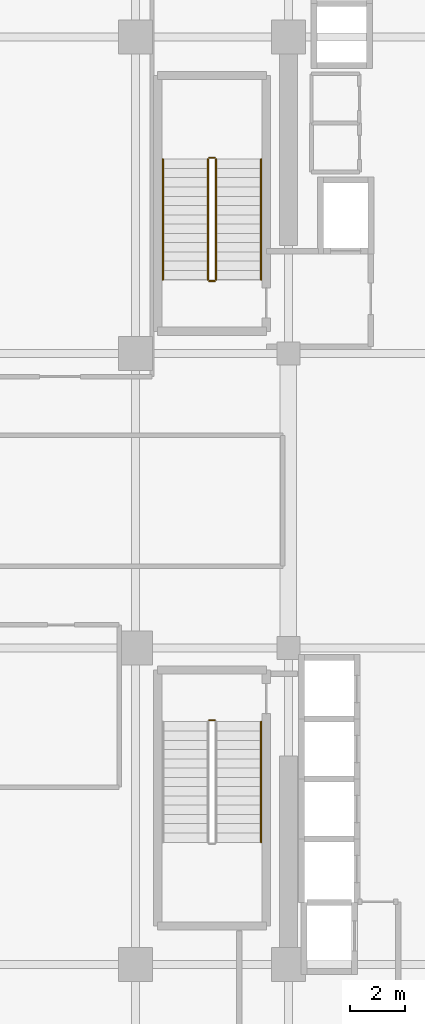
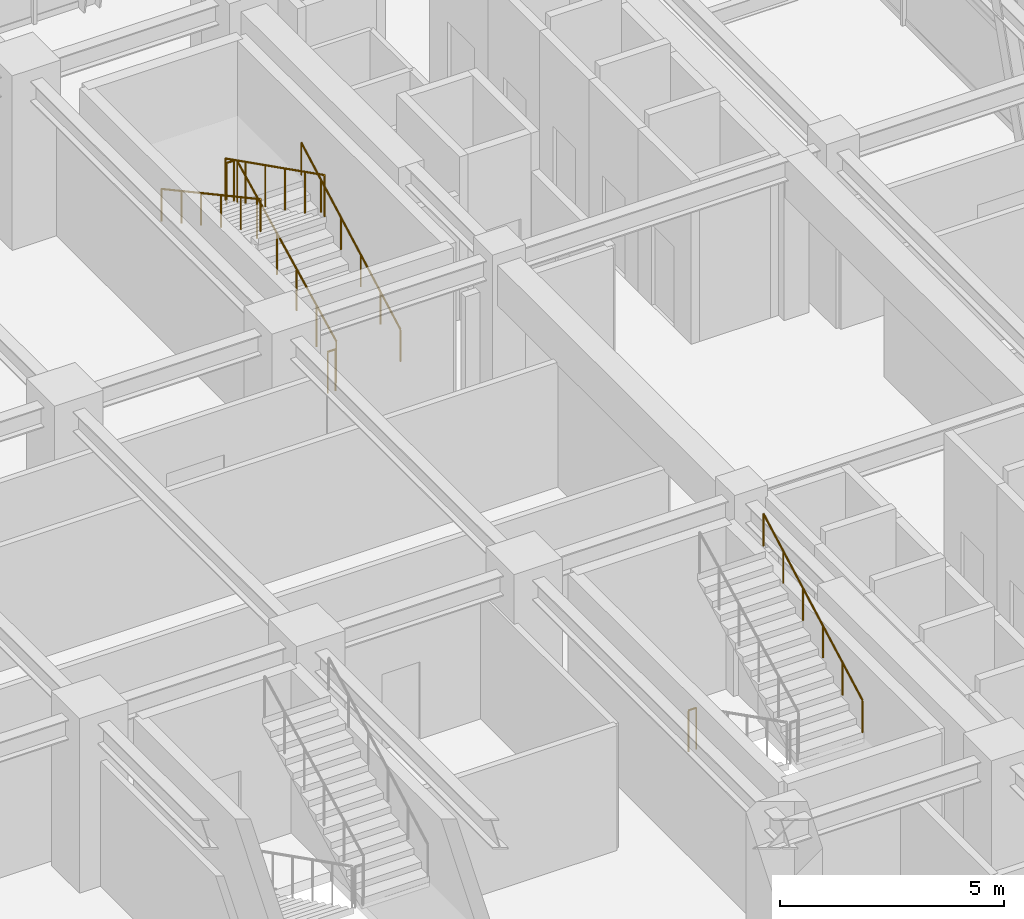
# One storey, part 25 of 26: 8 railings.
"""IFC4 building model written with IfcOpenShell, lengths in metres."""

from ifc_helpers import new_model, si_unit, direction, frame, origin, origin_2d, place, context, subcontext, project, spatial, circle, extrude, material, type_object, element, save


model = new_model("IFC4")

# Units and contexts
model_context = context("Model", 3, precision=1e-05, world=origin(), true_north=direction((0.0, 1.0)))
body_context = subcontext(model_context, "Body", "Model", "MODEL_VIEW")
ifc_project = project(units=[si_unit("LENGTHUNIT", "METRE"), si_unit("AREAUNIT", "SQUARE_METRE"), si_unit("VOLUMEUNIT", "CUBIC_METRE"), si_unit("PLANEANGLEUNIT", "RADIAN"), si_unit("MASSUNIT", "GRAM", prefix="KILO")], contexts=[model_context])

# Site, building, storey
site_placement = place(None, origin())
site = spatial("IfcSite", under=ifc_project, at=site_placement, CompositionType="ELEMENT")
building_placement = place(site_placement, origin())
building = spatial("IfcBuilding", under=site, at=building_placement, Name="Nahalor Promenade Grand Hotel", CompositionType="ELEMENT")
storey_placement = place(building_placement, frame((0.0, 0.0, 139.39990234375)))
storey = spatial("IfcBuildingStorey", under=building, at=storey_placement, Name="L35", CompositionType="ELEMENT", Elevation=139.39990234375)

# Railings
ifc_material = material(Name="Steel S355JR", Category="steel")
railing_type_1 = type_object("IfcRailingType", Name="Steel Stair Guardrail 1150 mm", PredefinedType="GUARDRAIL", material=ifc_material)
railing_1_placement = place(storey_placement, frame((5.75, 8.10009765625, 0.171630859375)))
element("IfcRailing", 1, at=railing_1_placement, inside=storey, type_object=railing_type_1, Name="L35 ST1 stair guard 1", PredefinedType="GUARDRAIL", context=body_context, shape_type="SweptSolid", body=[
    extrude(circle(Radius=0.024048, at=origin_2d()), frame((0.0, 0.0, 1.1259765625), z_axis=(0.0, 0.89292277971, 0.450209850486), x_axis=(-1.0, 0.0, 0.0)), (0.0, 0.0, 1.0), 4.949951171875),
    extrude(circle(Radius=0.020996, at=origin_2d()), origin(), (0.0, 0.0, 1.0), 1.099853515625),
    extrude(circle(Radius=0.020996, at=origin_2d()), frame((0.0, 0.884033203125, 0.44580078125)), (0.0, 0.0, 1.0), 1.099853515625),
    extrude(circle(Radius=0.020996, at=origin_2d()), frame((0.0, 1.76806640625, 0.891357421875)), (0.0, 0.0, 1.0), 1.099853515625),
    extrude(circle(Radius=0.020996, at=origin_2d()), frame((0.0, 2.65185546875, 1.337158203125)), (0.0, 0.0, 1.0), 1.099853515625),
    extrude(circle(Radius=0.020996, at=origin_2d()), frame((0.0, 3.535888671875, 1.78271484375)), (0.0, 0.0, 1.0), 1.099853515625),
    extrude(circle(Radius=0.020996, at=origin_2d()), frame((0.0, 4.419921875, 2.228515625)), (0.0, 0.0, 1.0), 1.099853515625),
])
railing_2_placement = place(storey_placement, frame((5.699951171875, 12.570068359375, 2.400146484375)))
element("IfcRailing", 2, at=railing_2_placement, inside=storey, type_object=railing_type_1, Name="L35 ST1 stair guard 2", PredefinedType="GUARDRAIL", context=body_context, shape_type="SweptSolid", body=[
    extrude(circle(Radius=0.024048, at=origin_2d()), frame((0.0, 0.0, 1.1259765625), z_axis=(-1.0, 0.0, 0.0), x_axis=(0.0, -1.0, 0.0)), (0.0, 0.0, 1.0), 0.199951171875),
    extrude(circle(Radius=0.020996, at=origin_2d()), origin(), (0.0, 0.0, 1.0), 1.099853515625),
    extrude(circle(Radius=0.020996, at=origin_2d()), frame((-0.199951171875, 0.0, 0.0)), (0.0, 0.0, 1.0), 1.099853515625),
])
railing_3_placement = place(storey_placement, frame((5.449951171875, 12.52001953125, 2.571533203125)))
element("IfcRailing", 3, at=railing_3_placement, inside=storey, type_object=railing_type_1, Name="L35 ST1 stair guard 3", PredefinedType="GUARDRAIL", context=body_context, shape_type="SweptSolid", body=[
    extrude(circle(Radius=0.024048, at=origin_2d()), frame((0.0, 0.0, 1.1259765625), z_axis=(0.0, -0.89292277971, 0.450209850486), x_axis=(1.0, 0.0, 0.0)), (0.0, 0.0, 1.0), 4.949951171875),
    extrude(circle(Radius=0.020996, at=origin_2d()), origin(), (0.0, 0.0, 1.0), 1.099853515625),
    extrude(circle(Radius=0.020996, at=origin_2d()), frame((0.0, -0.884033203125, 0.44580078125)), (0.0, 0.0, 1.0), 1.099853515625),
    extrude(circle(Radius=0.020996, at=origin_2d()), frame((0.0, -1.76806640625, 0.891357421875)), (0.0, 0.0, 1.0), 1.099853515625),
    extrude(circle(Radius=0.020996, at=origin_2d()), frame((0.0, -2.65185546875, 1.337158203125)), (0.0, 0.0, 1.0), 1.099853515625),
    extrude(circle(Radius=0.020996, at=origin_2d()), frame((0.0, -3.535888671875, 1.78271484375)), (0.0, 0.0, 1.0), 1.099853515625),
    extrude(circle(Radius=0.020996, at=origin_2d()), frame((0.0, -4.419921875, 2.228515625)), (0.0, 0.0, 1.0), 1.099853515625),
])
railing_4_placement = place(storey_placement, frame((5.699951171875, 8.050048828125, 0.0)))
element("IfcRailing", 4, at=railing_4_placement, inside=storey, type_object=railing_type_1, Name="L35 ST1 stair guard 4", PredefinedType="GUARDRAIL", context=body_context, shape_type="SweptSolid", body=[
    extrude(circle(Radius=0.024048, at=origin_2d()), frame((0.0, 0.0, 1.1259765625), z_axis=(-1.0, 0.0, 0.0), x_axis=(0.0, -1.0, 0.0)), (0.0, 0.0, 1.0), 0.199951171875),
    extrude(circle(Radius=0.020996, at=origin_2d()), origin(), (0.0, 0.0, 1.0), 1.099853515625),
    extrude(circle(Radius=0.020996, at=origin_2d()), frame((-0.199951171875, 0.0, 0.0)), (0.0, 0.0, 1.0), 1.099853515625),
])
railing_5_placement = place(storey_placement, frame((5.5, -8.050048828125, 0.0)))
element("IfcRailing", 5, at=railing_5_placement, inside=storey, type_object=railing_type_1, Name="L35 ST2 stair guard 4", PredefinedType="GUARDRAIL", context=body_context, shape_type="SweptSolid", body=[
    extrude(circle(Radius=0.024048, at=origin_2d()), frame((0.0, 0.0, 1.1259765625), z_axis=(1.0, 0.0, 0.0), x_axis=(0.0, 1.0, 0.0)), (0.0, 0.0, 1.0), 0.199951171875),
    extrude(circle(Radius=0.020996, at=origin_2d()), origin(), (0.0, 0.0, 1.0), 1.099853515625),
    extrude(circle(Radius=0.020996, at=origin_2d()), frame((0.199951171875, 0.0, 0.0)), (0.0, 0.0, 1.0), 1.099853515625),
])
railing_type_2 = type_object("IfcRailingType", Name="Steel Stair Handrail 900 mm", PredefinedType="HANDRAIL", material=ifc_material)
railing_6_placement = place(storey_placement, frame((7.39990234375, 8.10009765625, 0.171630859375)))
element("IfcRailing", 6, at=railing_6_placement, inside=storey, type_object=railing_type_2, Name="L35 ST1 stair handrail 1", PredefinedType="HANDRAIL", context=body_context, shape_type="SweptSolid", body=[
    extrude(circle(Radius=0.024048, at=origin_2d()), frame((0.0, 0.0, 0.8759765625), z_axis=(0.0, 0.878810394976, 0.477171132491), x_axis=(-1.0, 0.0, 0.0)), (0.0, 0.0, 1.0), 5.029541015625),
    extrude(circle(Radius=0.020996, at=origin_2d()), origin(), (0.0, 0.0, 1.0), 0.849853515625),
    extrude(circle(Radius=0.020996, at=origin_2d()), frame((0.0, 0.884033203125, 0.47998046875)), (0.0, 0.0, 1.0), 0.849853515625),
    extrude(circle(Radius=0.020996, at=origin_2d()), frame((0.0, 1.76806640625, 0.9599609375)), (0.0, 0.0, 1.0), 0.849853515625),
    extrude(circle(Radius=0.020996, at=origin_2d()), frame((0.0, 2.65185546875, 1.43994140625)), (0.0, 0.0, 1.0), 0.849853515625),
    extrude(circle(Radius=0.020996, at=origin_2d()), frame((0.0, 3.535888671875, 1.919921875)), (0.0, 0.0, 1.0), 0.849853515625),
    extrude(circle(Radius=0.020996, at=origin_2d()), frame((0.0, 4.419921875, 2.39990234375)), (0.0, 0.0, 1.0), 0.849853515625),
])
railing_7_placement = place(storey_placement, frame((3.800048828125, 12.52001953125, 2.571533203125)))
element("IfcRailing", 7, at=railing_7_placement, inside=storey, type_object=railing_type_2, Name="L35 ST1 stair handrail 2", PredefinedType="HANDRAIL", context=body_context, shape_type="SweptSolid", body=[
    extrude(circle(Radius=0.024048, at=origin_2d()), frame((0.0, 0.0, 0.8759765625), z_axis=(0.0, -0.878810394976, 0.477171132491), x_axis=(1.0, 0.0, 0.0)), (0.0, 0.0, 1.0), 5.029541015625),
    extrude(circle(Radius=0.020996, at=origin_2d()), origin(), (0.0, 0.0, 1.0), 0.849853515625),
    extrude(circle(Radius=0.020996, at=origin_2d()), frame((0.0, -0.884033203125, 0.47998046875)), (0.0, 0.0, 1.0), 0.849853515625),
    extrude(circle(Radius=0.020996, at=origin_2d()), frame((0.0, -1.76806640625, 0.9599609375)), (0.0, 0.0, 1.0), 0.849853515625),
    extrude(circle(Radius=0.020996, at=origin_2d()), frame((0.0, -2.65185546875, 1.43994140625)), (0.0, 0.0, 1.0), 0.849853515625),
    extrude(circle(Radius=0.020996, at=origin_2d()), frame((0.0, -3.535888671875, 1.919921875)), (0.0, 0.0, 1.0), 0.849853515625),
    extrude(circle(Radius=0.020996, at=origin_2d()), frame((0.0, -4.419921875, 2.39990234375)), (0.0, 0.0, 1.0), 0.849853515625),
])
railing_8_placement = place(storey_placement, frame((7.39990234375, -12.52001953125, 2.571533203125)))
element("IfcRailing", 8, at=railing_8_placement, inside=storey, type_object=railing_type_2, Name="L35 ST2 stair handrail 2", PredefinedType="HANDRAIL", context=body_context, shape_type="SweptSolid", body=[
    extrude(circle(Radius=0.024048, at=origin_2d()), frame((0.0, 0.0, 0.8759765625), z_axis=(0.0, 0.878810394976, 0.477171132491), x_axis=(-1.0, 0.0, 0.0)), (0.0, 0.0, 1.0), 5.029541015625),
    extrude(circle(Radius=0.020996, at=origin_2d()), origin(), (0.0, 0.0, 1.0), 0.849853515625),
    extrude(circle(Radius=0.020996, at=origin_2d()), frame((0.0, 0.884033203125, 0.47998046875)), (0.0, 0.0, 1.0), 0.849853515625),
    extrude(circle(Radius=0.020996, at=origin_2d()), frame((0.0, 1.76806640625, 0.9599609375)), (0.0, 0.0, 1.0), 0.849853515625),
    extrude(circle(Radius=0.020996, at=origin_2d()), frame((0.0, 2.65185546875, 1.43994140625)), (0.0, 0.0, 1.0), 0.849853515625),
    extrude(circle(Radius=0.020996, at=origin_2d()), frame((0.0, 3.535888671875, 1.919921875)), (0.0, 0.0, 1.0), 0.849853515625),
    extrude(circle(Radius=0.020996, at=origin_2d()), frame((0.0, 4.419921875, 2.39990234375)), (0.0, 0.0, 1.0), 0.849853515625),
])

save(model, "model.ifc")
